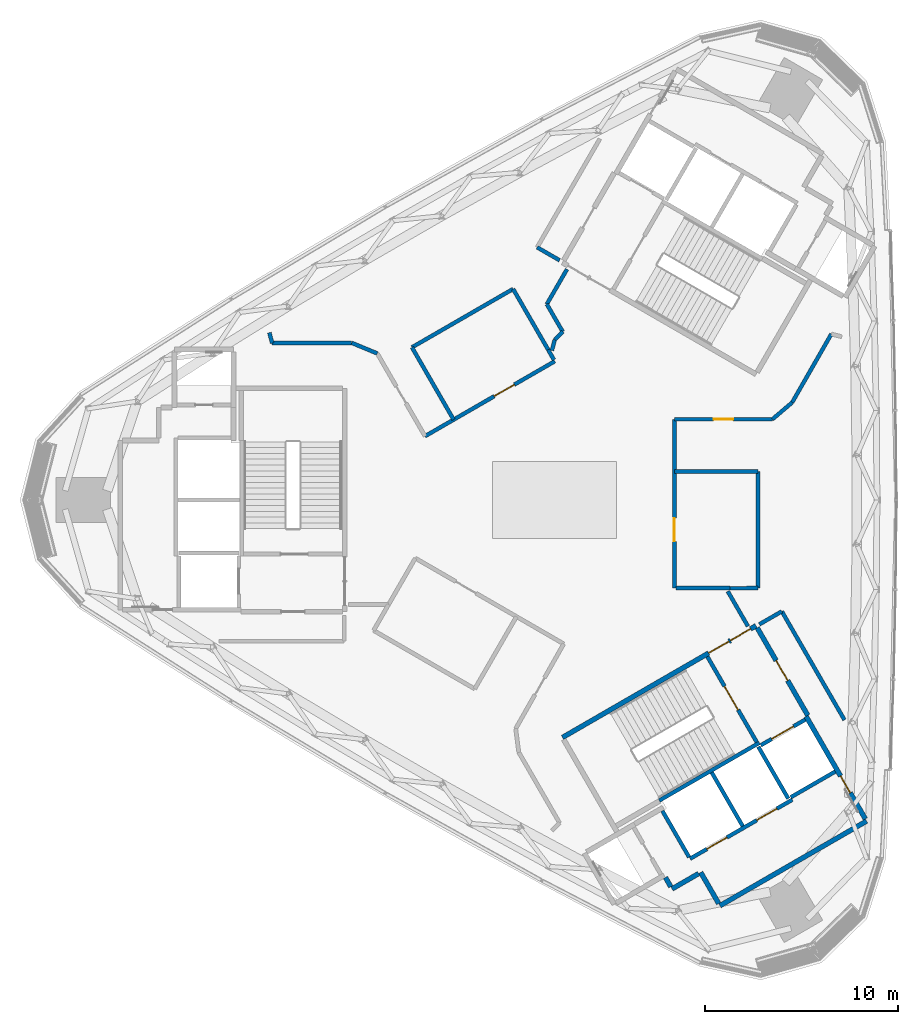
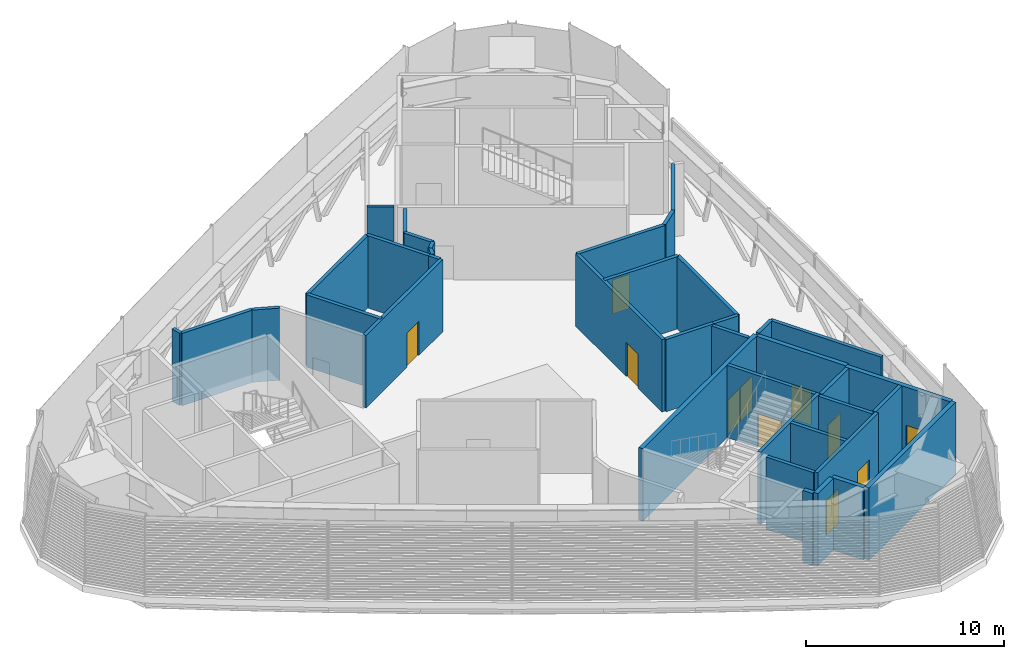
# One storey, part 13 of 18: 39 walls, 11 doors, 11 openings.
"""IFC4 building model written with IfcOpenShell, lengths in metres."""

from ifc_helpers import new_model, si_unit, direction, frame, frame_2d, origin, place, context, subcontext, project, spatial, rectangle, extrude, material, layer, layer_set, type_object, element, fill, save


model = new_model("IFC4")

# Units and contexts
model_context = context("Model", 3, precision=1e-05, world=origin(), true_north=direction((0.0, 1.0)))
body_context = subcontext(model_context, "Body", "Model", "MODEL_VIEW")
ifc_project = project(units=[si_unit("LENGTHUNIT", "METRE"), si_unit("AREAUNIT", "SQUARE_METRE"), si_unit("VOLUMEUNIT", "CUBIC_METRE"), si_unit("PLANEANGLEUNIT", "RADIAN"), si_unit("MASSUNIT", "GRAM", prefix="KILO")], contexts=[model_context])

# Site, building, storey
site_placement = place(None, origin())
site = spatial("IfcSite", under=ifc_project, at=site_placement, CompositionType="ELEMENT")
building_placement = place(site_placement, origin())
building = spatial("IfcBuilding", under=site, at=building_placement, Name="Tamra Quay Hotel Tower", CompositionType="ELEMENT")
storey_placement = place(building_placement, frame((0.0, 0.0, 257.39990234375)))
storey = spatial("IfcBuildingStorey", under=building, at=storey_placement, Name="L65", CompositionType="ELEMENT", Elevation=257.39990234375)

# Wall
ifc_material_1 = material(Name="Concrete M70", Category="concrete")
ifc_layer_1 = layer(ifc_material_1, 0.199951171875)
ifc_layer_set_1 = layer_set([ifc_layer_1], Name="Concrete M70 core wall 200")
wall_type_1 = type_object("IfcWallType", Name="Concrete M70 core wall 200", PredefinedType="SHEAR", material=ifc_layer_set_1)
wall_1_placement = place(storey_placement, frame((5.4189453125, -15.533935546875, 0.0), z_axis=(0.0, 0.0, 1.0), x_axis=(0.866029065029, 0.499993658486, 0.0)))
element("IfcWall", 1, at=wall_1_placement, inside=storey, type_object=wall_type_1, Name="CW2", PredefinedType="SHEAR", context=body_context, shape_type="SweptSolid", body=[
    extrude(rectangle(XDim=5.97412109375, YDim=0.199951171875, at=frame_2d((2.987060546875, 0.0))), origin(), (0.0, 0.0, 1.0), 4.4501953125),
])

# Wall, openings, doors
wall_2_placement = place(storey_placement, frame((7.009765625, -18.54150390625, 0.0), z_axis=(0.0, 0.0, 1.0), x_axis=(0.866030299012, 0.499991521122, 0.0)))
wall_2 = element("IfcWall", 2, at=wall_2_placement, inside=storey, type_object=wall_type_1, Name="CW2", PredefinedType="SHEAR", context=body_context, shape_type="SweptSolid", body=[
    extrude(rectangle(XDim=6.10009765625, YDim=0.199951171875, at=frame_2d((3.050048828125, 0.0))), origin(), (0.0, 0.0, 1.0), 4.4501953125),
])
opening_1_placement = place(wall_2_placement, frame((1.0, 0.0, 0.0)))
opening_1 = element("IfcOpeningElement", 3, at=opening_1_placement, cuts=wall_2, Name="Opening LD", PredefinedType="OPENING", context=body_context, shape_type="SweptSolid", body=[
    extrude(rectangle(XDim=1.199951171875, YDim=2.10009765625, at=frame_2d((0.60009765625, 1.050048828125))), frame((0.0, 0.10986328125, 0.0), z_axis=(0.0, -1.0, 0.0), x_axis=(1.0, 0.0, 0.0)), (0.0, 0.0, 1.0), 0.219970703125),
])
opening_2_placement = place(wall_2_placement, frame((3.982177734375, 0.0, 0.0)))
opening_2 = element("IfcOpeningElement", 4, at=opening_2_placement, cuts=wall_2, Name="Opening LD", PredefinedType="OPENING", context=body_context, shape_type="SweptSolid", body=[
    extrude(rectangle(XDim=1.199951171875, YDim=2.10009765625, at=frame_2d((0.60009765625, 1.050048828125))), frame((0.0, 0.10986328125, 0.0), z_axis=(0.0, -1.0, 0.0), x_axis=(1.0, 0.0, 0.0)), (0.0, 0.0, 1.0), 0.219970703125),
])
ifc_material_2 = material(Name="Landing door LD 1200 double door sliding")
door_type_1 = type_object("IfcDoorType", Name="Landing door LD 1200 double door sliding", OperationType="DOUBLE_DOOR_SLIDING", PredefinedType="DOOR", material=ifc_material_2)
door_1_placement = place(opening_1_placement, origin())
door_1 = element("IfcDoor", 5, at=door_1_placement, inside=storey, type_object=door_type_1, Name="LD", OperationType="DOUBLE_DOOR_SLIDING", OverallHeight=2.10009765625, OverallWidth=1.199951171875, PredefinedType="DOOR", context=body_context, shape_type="SweptSolid", body=[
    extrude(rectangle(XDim=1.199951171875, YDim=2.10009765625, at=frame_2d((0.60009765625, 1.050048828125))), frame((0.0, 0.02490234375, 0.0), z_axis=(0.0, -1.0, 0.0), x_axis=(1.0, 0.0, 0.0)), (0.0, 0.0, 1.0), 0.050048828125),
])
fill(opening_1, door_1)
door_2_placement = place(opening_2_placement, origin())
door_2 = element("IfcDoor", 6, at=door_2_placement, inside=storey, type_object=door_type_1, Name="LD", OperationType="DOUBLE_DOOR_SLIDING", OverallHeight=2.10009765625, OverallWidth=1.199951171875, PredefinedType="DOOR", context=body_context, shape_type="SweptSolid", body=[
    extrude(rectangle(XDim=1.199951171875, YDim=2.10009765625, at=frame_2d((0.60009765625, 1.050048828125))), frame((0.0, 0.02490234375, 0.0), z_axis=(0.0, -1.0, 0.0), x_axis=(1.0, 0.0, 0.0)), (0.0, 0.0, 1.0), 0.050048828125),
])
fill(opening_2, door_2)

# Wall, opening, door
wall_3_placement = place(storey_placement, frame((7.906494140625, -8.094482421875, 0.0), z_axis=(0.0, 0.0, 1.0), x_axis=(0.500027839223, -0.866009330205, 0.0)))
wall_3 = element("IfcWall", 7, at=wall_3_placement, inside=storey, type_object=wall_type_1, Name="CW2", PredefinedType="SHEAR", context=body_context, shape_type="SweptSolid", body=[
    extrude(rectangle(XDim=5.097900390625, YDim=0.199951171875, at=frame_2d((2.548828125, 0.0))), origin(), (0.0, 0.0, 1.0), 4.4501953125),
])
opening_3_placement = place(wall_3_placement, frame((1.77392578125, 0.0, 0.0)))
opening_3 = element("IfcOpeningElement", 8, at=opening_3_placement, cuts=wall_3, Name="Opening FD2", PredefinedType="OPENING", context=body_context, shape_type="SweptSolid", body=[
    extrude(rectangle(XDim=1.39990234375, YDim=2.10009765625, at=frame_2d((0.699951171875, 1.050048828125))), frame((0.0, 0.10986328125, 0.0), z_axis=(0.0, -1.0, 0.0), x_axis=(1.0, 0.0, 0.0)), (0.0, 0.0, 1.0), 0.219970703125),
])
ifc_material_3 = material(Name="Core door FD2 1400x2100 LH")
door_type_2 = type_object("IfcDoorType", Name="Core door FD2 1400x2100 LH", OperationType="NOTDEFINED", PredefinedType="DOOR", material=ifc_material_3)
door_3_placement = place(opening_3_placement, origin())
door_3 = element("IfcDoor", 9, at=door_3_placement, inside=storey, type_object=door_type_2, Name="FD2", OperationType="SINGLE_SWING_LEFT", OverallHeight=2.10009765625, OverallWidth=1.39990234375, PredefinedType="DOOR", context=body_context, shape_type="SweptSolid", body=[
    extrude(rectangle(XDim=1.39990234375, YDim=2.10009765625, at=frame_2d((0.699951171875, 1.050048828125))), frame((0.0, 0.02490234375, 0.0), z_axis=(0.0, -1.0, 0.0), x_axis=(1.0, 0.0, 0.0)), (0.0, 0.0, 1.0), 0.050048828125),
])
fill(opening_3, door_3)

# Walls
wall_4_placement = place(storey_placement, frame((8.131591796875, -14.084228515625, 0.0), z_axis=(0.0, 0.0, 1.0), x_axis=(0.499997778408, -0.866026686418, 0.0)))
element("IfcWall", 10, at=wall_4_placement, inside=storey, type_object=wall_type_1, Name="CW2", PredefinedType="SHEAR", context=body_context, shape_type="SweptSolid", body=[
    extrude(rectangle(XDim=3.1982421875, YDim=0.199951171875, at=frame_2d((1.59912109375, 0.0))), origin(), (0.0, 0.0, 1.0), 4.4501953125),
])
wall_5_placement = place(storey_placement, frame((6.959716796875, -18.455078125, 0.0), z_axis=(0.0, 0.0, 1.0), x_axis=(-0.499926705758, 0.866067716099, 0.0)))
element("IfcWall", 11, at=wall_5_placement, inside=storey, type_object=wall_type_1, Name="CW2", PredefinedType="SHEAR", context=body_context, shape_type="SweptSolid", body=[
    extrude(rectangle(XDim=2.75927734375, YDim=0.199951171875, at=frame_2d((1.379638671875, 0.0))), origin(), (0.0, 0.0, 1.0), 4.4501953125),
])
wall_6_placement = place(storey_placement, frame((12.087646484375, -15.4365234375, 0.0), z_axis=(0.0, 0.0, 1.0), x_axis=(-0.500026960575, 0.86600983753, 0.0)))
element("IfcWall", 12, at=wall_6_placement, inside=storey, type_object=wall_type_1, Name="CW2", PredefinedType="SHEAR", context=body_context, shape_type="SweptSolid", body=[
    extrude(rectangle(XDim=3.099853515625, YDim=0.199951171875, at=frame_2d((1.5498046875, 0.0))), origin(), (0.0, 0.0, 1.0), 4.4501953125),
])

# Wall, opening, door
wall_7_placement = place(storey_placement, frame((10.666015625, -12.677734375, 0.0), z_axis=(0.0, 0.0, 1.0), x_axis=(0.866018407898, 0.500012117035, 0.0)))
wall_7 = element("IfcWall", 13, at=wall_7_placement, inside=storey, type_object=wall_type_1, Name="CW2", PredefinedType="SHEAR", context=body_context, shape_type="SweptSolid", body=[
    extrude(rectangle(XDim=2.65087890625, YDim=0.199951171875, at=frame_2d((1.325439453125, 0.0))), origin(), (0.0, 0.0, 1.0), 4.4501953125),
])
opening_4_placement = place(wall_7_placement, frame((0.65185546875, 0.0, 0.0)))
opening_4 = element("IfcOpeningElement", 14, at=opening_4_placement, cuts=wall_7, Name="Opening LD", PredefinedType="OPENING", context=body_context, shape_type="SweptSolid", body=[
    extrude(rectangle(XDim=1.300048828125, YDim=2.10009765625, at=frame_2d((0.64990234375, 1.050048828125))), frame((0.0, 0.10986328125, 0.0), z_axis=(0.0, -1.0, 0.0), x_axis=(1.0, 0.0, 0.0)), (0.0, 0.0, 1.0), 0.219970703125),
])
ifc_material_4 = material(Name="Landing door LD 1300 sliding to left")
door_type_3 = type_object("IfcDoorType", Name="Landing door LD 1300 sliding to left", OperationType="NOTDEFINED", PredefinedType="DOOR", material=ifc_material_4)
door_4_placement = place(opening_4_placement, origin())
door_4 = element("IfcDoor", 15, at=door_4_placement, inside=storey, type_object=door_type_3, Name="LD", OperationType="SLIDING_TO_LEFT", OverallHeight=2.10009765625, OverallWidth=1.300048828125, PredefinedType="DOOR", context=body_context, shape_type="SweptSolid", body=[
    extrude(rectangle(XDim=1.300048828125, YDim=2.10009765625, at=frame_2d((0.64990234375, 1.050048828125))), frame((0.0, 0.02490234375, 0.0), z_axis=(0.0, -1.0, 0.0), x_axis=(1.0, 0.0, 0.0)), (0.0, 0.0, 1.0), 0.050048828125),
])
fill(opening_4, door_4)

# Wall
wall_8_placement = place(storey_placement, frame((14.51171875, -14.037109375, 0.0), z_axis=(0.0, 0.0, 1.0), x_axis=(-0.866018407898, -0.500012117035, 0.0)))
element("IfcWall", 16, at=wall_8_placement, inside=storey, type_object=wall_type_1, Name="CW2", PredefinedType="SHEAR", context=body_context, shape_type="SweptSolid", body=[
    extrude(rectangle(XDim=2.65087890625, YDim=0.199951171875, at=frame_2d((1.325439453125, 0.0))), origin(), (0.0, 0.0, 1.0), 4.4501953125),
])

# Wall, openings, doors
ifc_layer_2 = layer(ifc_material_1, 0.25)
ifc_layer_set_2 = layer_set([ifc_layer_2], Name="Concrete M70 core wall 250")
wall_type_2 = type_object("IfcWallType", Name="Concrete M70 core wall 250", PredefinedType="SHEAR", material=ifc_layer_set_2)
wall_9_placement = place(storey_placement, frame((0.417236328125, -12.27294921875, 0.0), z_axis=(0.0, 0.0, 1.0), x_axis=(0.866021906294, 0.500006057782, 0.0)))
wall_9 = element("IfcWall", 17, at=wall_9_placement, inside=storey, type_object=wall_type_2, Name="CW1", PredefinedType="SHEAR", context=body_context, shape_type="SweptSolid", body=[
    extrude(rectangle(XDim=11.550048828125, YDim=0.25, at=frame_2d((5.77490234375, 0.0))), origin(), (0.0, 0.0, 1.0), 4.4501953125),
])
opening_5_placement = place(wall_9_placement, frame((10.024658203125, 0.0, 0.0)))
opening_5 = element("IfcOpeningElement", 18, at=opening_5_placement, cuts=wall_9, Name="Opening FD1", PredefinedType="OPENING", context=body_context, shape_type="SweptSolid", body=[
    extrude(rectangle(XDim=1.199951171875, YDim=2.10009765625, at=frame_2d((0.60009765625, 1.050048828125))), frame((0.0, 0.135009765625, 0.0), z_axis=(0.0, -1.0, 0.0), x_axis=(1.0, 0.0, 0.0)), (0.0, 0.0, 1.0), 0.27001953125),
])
opening_6_placement = place(wall_9_placement, frame((8.724609375, 0.0, 0.0)))
opening_6 = element("IfcOpeningElement", 19, at=opening_6_placement, cuts=wall_9, Name="Opening FD1", PredefinedType="OPENING", context=body_context, shape_type="SweptSolid", body=[
    extrude(rectangle(XDim=1.199951171875, YDim=2.10009765625, at=frame_2d((0.60009765625, 1.050048828125))), frame((0.0, 0.135009765625, 0.0), z_axis=(0.0, -1.0, 0.0), x_axis=(1.0, 0.0, 0.0)), (0.0, 0.0, 1.0), 0.27001953125),
])
ifc_material_5 = material(Name="Core door FD1 1200x2100 LH")
door_type_4 = type_object("IfcDoorType", Name="Core door FD1 1200x2100 LH", OperationType="NOTDEFINED", PredefinedType="DOOR", material=ifc_material_5)
door_5_placement = place(opening_5_placement, origin())
door_5 = element("IfcDoor", 20, at=door_5_placement, inside=storey, type_object=door_type_4, Name="FD1", OperationType="SINGLE_SWING_LEFT", OverallHeight=2.10009765625, OverallWidth=1.199951171875, PredefinedType="DOOR", context=body_context, shape_type="SweptSolid", body=[
    extrude(rectangle(XDim=1.199951171875, YDim=2.10009765625, at=frame_2d((0.60009765625, 1.050048828125))), frame((0.0, 0.02490234375, 0.0), z_axis=(0.0, -1.0, 0.0), x_axis=(1.0, 0.0, 0.0)), (0.0, 0.0, 1.0), 0.050048828125),
])
fill(opening_5, door_5)
ifc_material_6 = material(Name="Core door FD1 1200x2100 RH")
door_type_5 = type_object("IfcDoorType", Name="Core door FD1 1200x2100 RH", OperationType="NOTDEFINED", PredefinedType="DOOR", material=ifc_material_6)
door_6_placement = place(opening_6_placement, origin())
door_6 = element("IfcDoor", 21, at=door_6_placement, inside=storey, type_object=door_type_5, Name="FD1", OperationType="SINGLE_SWING_RIGHT", OverallHeight=2.10009765625, OverallWidth=1.199951171875, PredefinedType="DOOR", context=body_context, shape_type="SweptSolid", body=[
    extrude(rectangle(XDim=1.199951171875, YDim=2.10009765625, at=frame_2d((0.60009765625, 1.050048828125))), frame((0.0, 0.02490234375, 0.0), z_axis=(0.0, -1.0, 0.0), x_axis=(1.0, 0.0, 0.0)), (0.0, 0.0, 1.0), 0.050048828125),
])
fill(opening_6, door_6)

# Wall
wall_10_placement = place(storey_placement, frame((16.13330078125, -16.59375, 0.0), z_axis=(0.0, 0.0, 1.0), x_axis=(-0.866022959057, -0.500004234368, 0.0)))
element("IfcWall", 22, at=wall_10_placement, inside=storey, type_object=wall_type_2, Name="CW1", PredefinedType="SHEAR", context=body_context, shape_type="SweptSolid", body=[
    extrude(rectangle(XDim=8.75, YDim=0.25, at=frame_2d((4.375, 0.0))), origin(), (0.0, 0.0, 1.0), 4.4501953125),
])

# Wall, opening, door
wall_11_placement = place(storey_placement, frame((13.00830078125, -11.18115234375, 0.0), z_axis=(0.0, 0.0, 1.0), x_axis=(0.500001955336, -0.866024274868, 0.0)))
wall_11 = element("IfcWall", 23, at=wall_11_placement, inside=storey, type_object=wall_type_2, Name="CW1", PredefinedType="SHEAR", context=body_context, shape_type="SweptSolid", body=[
    extrude(rectangle(XDim=6.12451171875, YDim=0.25, at=frame_2d((3.062255859375, 0.0))), origin(), (0.0, 0.0, 1.0), 4.4501953125),
])
opening_7_placement = place(wall_11_placement, frame((3.562744140625, 0.0, 0.0)))
opening_7 = element("IfcOpeningElement", 24, at=opening_7_placement, cuts=wall_11, Name="Opening FD3", PredefinedType="OPENING", context=body_context, shape_type="SweptSolid", body=[
    extrude(rectangle(XDim=1.0, YDim=2.10009765625, at=frame_2d((0.5, 1.050048828125))), frame((0.0, 0.135009765625, 0.0), z_axis=(0.0, -1.0, 0.0), x_axis=(1.0, 0.0, 0.0)), (0.0, 0.0, 1.0), 0.27001953125),
])
ifc_material_7 = material(Name="Core door FD3 1000x2100 LH")
door_type_6 = type_object("IfcDoorType", Name="Core door FD3 1000x2100 LH", OperationType="NOTDEFINED", PredefinedType="DOOR", material=ifc_material_7)
door_7_placement = place(opening_7_placement, origin())
door_7 = element("IfcDoor", 25, at=door_7_placement, inside=storey, type_object=door_type_6, Name="FD3", OperationType="SINGLE_SWING_LEFT", OverallHeight=2.10009765625, OverallWidth=1.0, PredefinedType="DOOR", context=body_context, shape_type="SweptSolid", body=[
    extrude(rectangle(XDim=1.0, YDim=2.10009765625, at=frame_2d((0.5, 1.050048828125))), frame((0.0, 0.02490234375, 0.0), z_axis=(0.0, -1.0, 0.0), x_axis=(1.0, 0.0, 0.0)), (0.0, 0.0, 1.0), 0.050048828125),
])
fill(opening_7, door_7)

wall_12_placement = place(storey_placement, frame((10.482666015625, -6.6064453125, 0.0), z_axis=(0.0, 0.0, 1.0), x_axis=(0.49999885962, -0.866026062182, 0.0)))
wall_12 = element("IfcWall", 26, at=wall_12_placement, inside=storey, type_object=wall_type_2, Name="CW1", PredefinedType="SHEAR", context=body_context, shape_type="SweptSolid", body=[
    extrude(rectangle(XDim=5.224609375, YDim=0.25, at=frame_2d((2.6123046875, 0.0))), origin(), (0.0, 0.0, 1.0), 4.4501953125),
])
opening_8_placement = place(wall_12_placement, frame((1.94970703125, 0.0, 0.0)))
opening_8 = element("IfcOpeningElement", 27, at=opening_8_placement, cuts=wall_12, Name="Opening D2", PredefinedType="OPENING", context=body_context, shape_type="SweptSolid", body=[
    extrude(rectangle(XDim=1.199951171875, YDim=2.10009765625, at=frame_2d((0.60009765625, 1.050048828125))), frame((0.0, 0.135009765625, 0.0), z_axis=(0.0, -1.0, 0.0), x_axis=(1.0, 0.0, 0.0)), (0.0, 0.0, 1.0), 0.27001953125),
])
ifc_material_8 = material(Name="Core door D2 1200x2100 RH")
door_type_7 = type_object("IfcDoorType", Name="Core door D2 1200x2100 RH", OperationType="NOTDEFINED", PredefinedType="DOOR", material=ifc_material_8)
door_8_placement = place(opening_8_placement, origin())
door_8 = element("IfcDoor", 28, at=door_8_placement, inside=storey, type_object=door_type_7, Name="D2", OperationType="SINGLE_SWING_RIGHT", OverallHeight=2.10009765625, OverallWidth=1.199951171875, PredefinedType="DOOR", context=body_context, shape_type="SweptSolid", body=[
    extrude(rectangle(XDim=1.199951171875, YDim=2.10009765625, at=frame_2d((0.60009765625, 1.050048828125))), frame((0.0, 0.02490234375, 0.0), z_axis=(0.0, -1.0, 0.0), x_axis=(1.0, 0.0, 0.0)), (0.0, 0.0, 1.0), 0.050048828125),
])
fill(opening_8, door_8)

# Walls
wall_13_placement = place(storey_placement, frame((8.492919921875, -20.860107421875, 0.0), z_axis=(0.0, 0.0, 1.0), x_axis=(-0.500039802285, 0.866002422705, 0.0)))
element("IfcWall", 29, at=wall_13_placement, inside=storey, type_object=wall_type_2, Name="CW1", PredefinedType="SHEAR", context=body_context, shape_type="SweptSolid", body=[
    extrude(rectangle(XDim=1.864501953125, YDim=0.25, at=frame_2d((0.93212890625, 0.0))), origin(), (0.0, 0.0, 1.0), 4.4501953125),
])
wall_14_placement = place(storey_placement, frame((7.451904296875, -19.30810546875, 0.0), z_axis=(0.0, 0.0, 1.0), x_axis=(-0.866044474677, -0.49996696679, 0.0)))
element("IfcWall", 30, at=wall_14_placement, inside=storey, type_object=wall_type_2, Name="CW1", PredefinedType="SHEAR", context=body_context, shape_type="SweptSolid", body=[
    extrude(rectangle(XDim=1.58447265625, YDim=0.25, at=frame_2d((0.792236328125, 0.0))), origin(), (0.0, 0.0, 1.0), 4.4501953125),
])
wall_15_placement = place(storey_placement, frame((6.01708984375, -19.99169921875, 0.0), z_axis=(0.0, 0.0, 1.0), x_axis=(-0.500364886717, 0.865814633822, 0.0)))
element("IfcWall", 31, at=wall_15_placement, inside=storey, type_object=wall_type_2, Name="CW1", PredefinedType="SHEAR", context=body_context, shape_type="SweptSolid", body=[
    extrude(rectangle(XDim=0.55908203125, YDim=0.25, at=frame_2d((0.279541015625, 0.0))), origin(), (0.0, 0.0, 1.0), 4.4501953125),
])
ifc_material_9 = material(Name="Partition corridor wall")
ifc_layer_3 = layer(ifc_material_9, 0.199951171875)
ifc_layer_set_3 = layer_set([ifc_layer_3], Name="Partition corridor wall")
wall_type_3 = type_object("IfcWallType", Name="Partition corridor wall", PredefinedType="PARTITIONING", material=ifc_layer_set_3)
wall_16_placement = place(storey_placement, frame((-14.73095703125, 8.64599609375, 0.0), z_axis=(0.0, 0.0, 1.0), x_axis=(0.258152815448, -0.966104095777, 0.0)))
element("IfcWall", 32, at=wall_16_placement, inside=storey, type_object=wall_type_3, Name="W-C", PredefinedType="PARTITIONING", context=body_context, shape_type="SweptSolid", body=[
    extrude(rectangle(XDim=0.557861328125, YDim=0.199951171875, at=frame_2d((0.27880859375, 0.0))), origin(), (0.0, 0.0, 1.0), 4.4501953125),
])
wall_17_placement = place(storey_placement, frame((-14.5869140625, 8.10693359375, 0.0), z_axis=(0.0, 0.0, 1.0), x_axis=(0.999994067454, 0.003444569184, 0.0)))
element("IfcWall", 33, at=wall_17_placement, inside=storey, type_object=wall_type_3, Name="W-C", PredefinedType="PARTITIONING", context=body_context, shape_type="SweptSolid", body=[
    extrude(rectangle(XDim=4.11083984375, YDim=0.199951171875, at=frame_2d((2.055419921875, 0.0))), origin(), (0.0, 0.0, 1.0), 4.4501953125),
])
wall_18_placement = place(storey_placement, frame((-10.47607421875, 8.12109375, 0.0), z_axis=(0.0, 0.0, 1.0), x_axis=(0.923898220274, -0.382638312998, 0.0)))
element("IfcWall", 34, at=wall_18_placement, inside=storey, type_object=wall_type_3, Name="W-C", PredefinedType="PARTITIONING", context=body_context, shape_type="SweptSolid", body=[
    extrude(rectangle(XDim=1.429931640625, YDim=0.199951171875, at=frame_2d((0.71484375, 0.0))), origin(), (0.0, 0.0, 1.0), 4.4501953125),
])

# Wall, opening, door
wall_19_placement = place(storey_placement, frame((-6.68701171875, 3.298095703125, 0.0), z_axis=(0.0, 0.0, 1.0), x_axis=(0.865948809334, 0.500132642019, 0.0)))
wall_19 = element("IfcWall", 35, at=wall_19_placement, inside=storey, type_object=wall_type_3, Name="W-C", PredefinedType="PARTITIONING", context=body_context, shape_type="SweptSolid", body=[
    extrude(rectangle(XDim=7.7451171875, YDim=0.199951171875, at=frame_2d((3.87255859375, 0.0))), origin(), (0.0, 0.0, 1.0), 4.4501953125),
])
opening_9_placement = place(wall_19_placement, frame((4.127685546875, 0.0, 0.0)))
opening_9 = element("IfcOpeningElement", 36, at=opening_9_placement, cuts=wall_19, Name="Opening L65-D004", PredefinedType="OPENING", context=body_context, shape_type="SweptSolid", body=[
    extrude(rectangle(XDim=1.199951171875, YDim=2.10009765625, at=frame_2d((0.60009765625, 1.050048828125))), frame((0.0, 0.10986328125, 0.0), z_axis=(0.0, -1.0, 0.0), x_axis=(1.0, 0.0, 0.0)), (0.0, 0.0, 1.0), 0.219970703125),
])
ifc_material_10 = material(Name="Door fire rated 1200x2100")
door_type_8 = type_object("IfcDoorType", Name="Door fire rated 1200x2100", OperationType="NOTDEFINED", PredefinedType="DOOR", material=ifc_material_10)
door_9_placement = place(opening_9_placement, origin())
door_9 = element("IfcDoor", 37, at=door_9_placement, inside=storey, type_object=door_type_8, Name="L65-D004", OperationType="SINGLE_SWING_LEFT", OverallHeight=2.10009765625, OverallWidth=1.199951171875, PredefinedType="DOOR", context=body_context, shape_type="SweptSolid", body=[
    extrude(rectangle(XDim=1.199951171875, YDim=2.10009765625, at=frame_2d((0.60009765625, 1.050048828125))), frame((0.0, 0.02490234375, 0.0), z_axis=(0.0, -1.0, 0.0), x_axis=(1.0, 0.0, 0.0)), (0.0, 0.0, 1.0), 0.050048828125),
])
fill(opening_9, door_9)

# Walls
wall_20_placement = place(storey_placement, frame((-0.89111328125, 13.056884765625, 0.0), z_axis=(0.0, 0.0, 1.0), x_axis=(0.866206814563, -0.499685655593, 0.0)))
element("IfcWall", 38, at=wall_20_placement, inside=storey, type_object=wall_type_3, Name="W-C", PredefinedType="PARTITIONING", context=body_context, shape_type="SweptSolid", body=[
    extrude(rectangle(XDim=1.340087890625, YDim=0.199951171875, at=frame_2d((0.669921875, 0.0))), origin(), (0.0, 0.0, 1.0), 4.4501953125),
])
wall_21_placement = place(storey_placement, frame((-0.39208984375, 10.12109375, 0.0), z_axis=(0.0, 0.0, 1.0), x_axis=(0.499992716633, -0.866029608798, 0.0)))
element("IfcWall", 39, at=wall_21_placement, inside=storey, type_object=wall_type_3, Name="W-C", PredefinedType="PARTITIONING", context=body_context, shape_type="SweptSolid", body=[
    extrude(rectangle(XDim=1.64208984375, YDim=0.199951171875, at=frame_2d((0.821044921875, 0.0))), origin(), (0.0, 0.0, 1.0), 4.4501953125),
])
wall_22_placement = place(storey_placement, frame((-0.39208984375, 10.12109375, 0.0), z_axis=(0.0, 0.0, 1.0), x_axis=(0.50017216111, 0.865925983702, 0.0)))
element("IfcWall", 40, at=wall_22_placement, inside=storey, type_object=wall_type_3, Name="W-C", PredefinedType="PARTITIONING", context=body_context, shape_type="SweptSolid", body=[
    extrude(rectangle(XDim=2.083251953125, YDim=0.199951171875, at=frame_2d((1.04150390625, 0.0))), origin(), (0.0, 0.0, 1.0), 4.4501953125),
])
wall_23_placement = place(storey_placement, frame((-0.325927734375, 7.76904296875, 0.0), z_axis=(0.0, 0.0, 1.0), x_axis=(0.500244126355, -0.865884411482, 0.0)))
element("IfcWall", 41, at=wall_23_placement, inside=storey, type_object=wall_type_3, Name="W-C", PredefinedType="PARTITIONING", context=body_context, shape_type="SweptSolid", body=[
    extrude(rectangle(XDim=0.607666015625, YDim=0.199951171875, at=frame_2d((0.3037109375, 0.0))), origin(), (0.0, 0.0, 1.0), 4.4501953125),
])
wall_24_placement = place(storey_placement, frame((-0.1298828125, 7.72998046875, 0.0), z_axis=(0.0, 0.0, 1.0), x_axis=(0.258553659464, 0.965996897085, 0.0)))
element("IfcWall", 42, at=wall_24_placement, inside=storey, type_object=wall_type_3, Name="W-C", PredefinedType="PARTITIONING", context=body_context, shape_type="SweptSolid", body=[
    extrude(rectangle(XDim=0.579833984375, YDim=0.199951171875, at=frame_2d((0.2900390625, 0.0))), origin(), (0.0, 0.0, 1.0), 4.4501953125),
])
wall_25_placement = place(storey_placement, frame((0.02001953125, 8.2900390625, 0.0), z_axis=(0.0, 0.0, 1.0), x_axis=(0.707106781187, 0.707106781187, 0.0)))
element("IfcWall", 43, at=wall_25_placement, inside=storey, type_object=wall_type_3, Name="W-C", PredefinedType="PARTITIONING", context=body_context, shape_type="SweptSolid", body=[
    extrude(rectangle(XDim=0.578369140625, YDim=0.199951171875, at=frame_2d((0.2890625, 0.0))), origin(), (0.0, 0.0, 1.0), 4.4501953125),
])

# Wall, opening, door
wall_26_placement = place(storey_placement, frame((6.199951171875, -4.556884765625, 0.0), z_axis=(0.0, 0.0, 1.0), x_axis=(0.0, 1.0, 0.0)))
wall_26 = element("IfcWall", 44, at=wall_26_placement, inside=storey, type_object=wall_type_3, Name="W-C", PredefinedType="PARTITIONING", context=body_context, shape_type="SweptSolid", body=[
    extrude(rectangle(XDim=8.72900390625, YDim=0.199951171875, at=frame_2d((4.364501953125, 0.0))), origin(), (0.0, 0.0, 1.0), 4.4501953125),
])
opening_10_placement = place(wall_26_placement, frame((2.41748046875, 0.0, 0.0)))
opening_10 = element("IfcOpeningElement", 45, at=opening_10_placement, cuts=wall_26, Name="Opening L65-D005", PredefinedType="OPENING", context=body_context, shape_type="SweptSolid", body=[
    extrude(rectangle(XDim=1.199951171875, YDim=2.10009765625, at=frame_2d((0.60009765625, 1.050048828125))), frame((0.0, 0.10986328125, 0.0), z_axis=(0.0, -1.0, 0.0), x_axis=(1.0, 0.0, 0.0)), (0.0, 0.0, 1.0), 0.219970703125),
])
door_10_placement = place(opening_10_placement, frame((1.199951171875, 0.0, 0.0), z_axis=(0.0, 0.0, 1.0), x_axis=(-1.0, 0.0, 0.0)))
door_10 = element("IfcDoor", 46, at=door_10_placement, inside=storey, type_object=door_type_8, Name="L65-D005", OperationType="SINGLE_SWING_LEFT", OverallHeight=2.10009765625, OverallWidth=1.199951171875, PredefinedType="DOOR", context=body_context, shape_type="SweptSolid", body=[
    extrude(rectangle(XDim=1.199951171875, YDim=2.10009765625, at=frame_2d((0.60009765625, 1.050048828125))), frame((0.0, 0.02490234375, 0.0), z_axis=(0.0, -1.0, 0.0), x_axis=(1.0, 0.0, 0.0)), (0.0, 0.0, 1.0), 0.050048828125),
])
fill(opening_10, door_10)

wall_27_placement = place(storey_placement, frame((6.199951171875, 4.172119140625, 0.0), z_axis=(0.0, 0.0, 1.0), x_axis=(1.0, 0.0, 0.0)))
wall_27 = element("IfcWall", 47, at=wall_27_placement, inside=storey, type_object=wall_type_3, Name="W-C", PredefinedType="PARTITIONING", context=body_context, shape_type="SweptSolid", body=[
    extrude(rectangle(XDim=5.06494140625, YDim=0.199951171875, at=frame_2d((2.532470703125, 0.0))), origin(), (0.0, 0.0, 1.0), 4.4501953125),
])
opening_11_placement = place(wall_27_placement, frame((2.034912109375, 0.0, 0.0)))
opening_11 = element("IfcOpeningElement", 48, at=opening_11_placement, cuts=wall_27, Name="Opening L65-D002", PredefinedType="OPENING", context=body_context, shape_type="SweptSolid", body=[
    extrude(rectangle(XDim=1.0, YDim=2.10009765625, at=frame_2d((0.5, 1.050048828125))), frame((0.0, 0.10986328125, 0.0), z_axis=(0.0, -1.0, 0.0), x_axis=(1.0, 0.0, 0.0)), (0.0, 0.0, 1.0), 0.219970703125),
])
ifc_material_11 = material(Name="Door service room 1000x2100")
door_type_9 = type_object("IfcDoorType", Name="Door service room 1000x2100", OperationType="NOTDEFINED", PredefinedType="DOOR", material=ifc_material_11)
door_11_placement = place(opening_11_placement, frame((1.0, 0.0, 0.0), z_axis=(0.0, 0.0, 1.0), x_axis=(-1.0, 0.0, 0.0)))
door_11 = element("IfcDoor", 49, at=door_11_placement, inside=storey, type_object=door_type_9, Name="L65-D002", OperationType="SINGLE_SWING_LEFT", OverallHeight=2.10009765625, OverallWidth=1.0, PredefinedType="DOOR", context=body_context, shape_type="SweptSolid", body=[
    extrude(rectangle(XDim=1.0, YDim=2.10009765625, at=frame_2d((0.5, 1.050048828125))), frame((0.0, 0.02490234375, 0.0), z_axis=(0.0, -1.0, 0.0), x_axis=(1.0, 0.0, 0.0)), (0.0, 0.0, 1.0), 0.050048828125),
])
fill(opening_11, door_11)

# Walls
wall_28_placement = place(storey_placement, frame((6.281982421875, -4.555908203125, 0.0), z_axis=(0.0, 0.0, 1.0), x_axis=(1.0, 0.0, 0.0)))
element("IfcWall", 50, at=wall_28_placement, inside=storey, type_object=wall_type_3, Name="W-C", PredefinedType="PARTITIONING", context=body_context, shape_type="SweptSolid", body=[
    extrude(rectangle(XDim=2.791015625, YDim=0.199951171875, at=frame_2d((1.3955078125, 0.0))), origin(), (0.0, 0.0, 1.0), 4.4501953125),
])
wall_29_placement = place(storey_placement, frame((8.9609375, -4.720947265625, 0.0), z_axis=(0.0, 0.0, 1.0), x_axis=(0.499806992981, -0.866136807766, 0.0)))
element("IfcWall", 51, at=wall_29_placement, inside=storey, type_object=wall_type_3, Name="W-C", PredefinedType="PARTITIONING", context=body_context, shape_type="SweptSolid", body=[
    extrude(rectangle(XDim=2.083251953125, YDim=0.199951171875, at=frame_2d((1.04150390625, 0.0))), origin(), (0.0, 0.0, 1.0), 4.4501953125),
])
wall_30_placement = place(storey_placement, frame((10.5927734375, -6.42724609375, 0.0), z_axis=(0.0, 0.0, 1.0), x_axis=(0.865912429188, 0.500195626709, 0.0)))
element("IfcWall", 52, at=wall_30_placement, inside=storey, type_object=wall_type_3, Name="W-C", PredefinedType="PARTITIONING", context=body_context, shape_type="SweptSolid", body=[
    extrude(rectangle(XDim=1.33984375, YDim=0.199951171875, at=frame_2d((0.669921875, 0.0))), origin(), (0.0, 0.0, 1.0), 4.4501953125),
])
wall_31_placement = place(storey_placement, frame((11.264892578125, 4.172119140625, 0.0), z_axis=(0.0, 0.0, 1.0), x_axis=(0.762631798807, 0.64683285279, 0.0)))
element("IfcWall", 53, at=wall_31_placement, inside=storey, type_object=wall_type_3, Name="W-C", PredefinedType="PARTITIONING", context=body_context, shape_type="SweptSolid", body=[
    extrude(rectangle(XDim=1.3388671875, YDim=0.199951171875, at=frame_2d((0.66943359375, 0.0))), origin(), (0.0, 0.0, 1.0), 4.4501953125),
])
wall_32_placement = place(storey_placement, frame((11.7529296875, -5.757080078125, 0.0), z_axis=(0.0, 0.0, 1.0), x_axis=(0.499994352157, -0.866028664543, 0.0)))
element("IfcWall", 54, at=wall_32_placement, inside=storey, type_object=wall_type_3, Name="W-C", PredefinedType="PARTITIONING", context=body_context, shape_type="SweptSolid", body=[
    extrude(rectangle(XDim=6.47705078125, YDim=0.199951171875, at=frame_2d((3.238525390625, 0.0))), origin(), (0.0, 0.0, 1.0), 4.4501953125),
])
wall_33_placement = place(storey_placement, frame((12.285888671875, 5.0380859375, 0.0), z_axis=(0.0, 0.0, 1.0), x_axis=(0.496995625394, 0.86775304571, 0.0)))
element("IfcWall", 55, at=wall_33_placement, inside=storey, type_object=wall_type_3, Name="W-C", PredefinedType="PARTITIONING", context=body_context, shape_type="SweptSolid", body=[
    extrude(rectangle(XDim=4.08056640625, YDim=0.199951171875, at=frame_2d((2.040283203125, 0.0))), origin(), (0.0, 0.0, 1.0), 4.4501953125),
])
ifc_material_12 = material(Name="Partition party wall")
ifc_layer_4 = layer(ifc_material_12, 0.199951171875)
ifc_layer_set_4 = layer_set([ifc_layer_4], Name="Partition party wall")
wall_type_4 = type_object("IfcWallType", Name="Partition party wall", PredefinedType="PARTITIONING", material=ifc_layer_set_4)
wall_34_placement = place(storey_placement, frame((-7.363037109375, 7.888916015625, 0.0), z_axis=(0.0, 0.0, 1.0), x_axis=(0.49953283588, -0.866294953164, 0.0)))
element("IfcWall", 56, at=wall_34_placement, inside=storey, type_object=wall_type_4, Name="W-P", PredefinedType="PARTITIONING", context=body_context, shape_type="SweptSolid", body=[
    extrude(rectangle(XDim=4.31005859375, YDim=0.199951171875, at=frame_2d((2.155029296875, 0.0))), origin(), (0.0, 0.0, 1.0), 4.4501953125),
])
wall_35_placement = place(storey_placement, frame((-7.363037109375, 7.888916015625, 0.0), z_axis=(0.0, 0.0, 1.0), x_axis=(0.866079160815, 0.499906878531, 0.0)))
element("IfcWall", 57, at=wall_35_placement, inside=storey, type_object=wall_type_4, Name="W-P", PredefinedType="PARTITIONING", context=body_context, shape_type="SweptSolid", body=[
    extrude(rectangle(XDim=6.035400390625, YDim=0.199951171875, at=frame_2d((3.017578125, 0.0))), origin(), (0.0, 0.0, 1.0), 4.4501953125),
])
wall_36_placement = place(storey_placement, frame((-2.135986328125, 10.906005859375, 0.0), z_axis=(0.0, 0.0, 1.0), x_axis=(0.500379794091, -0.865806018497, 0.0)))
element("IfcWall", 58, at=wall_36_placement, inside=storey, type_object=wall_type_4, Name="W-P", PredefinedType="PARTITIONING", context=body_context, shape_type="SweptSolid", body=[
    extrude(rectangle(XDim=3.621826171875, YDim=0.199951171875, at=frame_2d((1.81103515625, 0.0))), origin(), (0.0, 0.0, 1.0), 4.4501953125),
])
wall_37_placement = place(storey_placement, frame((6.202880859375, 1.47998046875, 0.0), z_axis=(0.0, 0.0, 1.0), x_axis=(0.999999897325, -0.000453155046, 0.0)))
element("IfcWall", 59, at=wall_37_placement, inside=storey, type_object=wall_type_4, Name="W-P", PredefinedType="PARTITIONING", context=body_context, shape_type="SweptSolid", body=[
    extrude(rectangle(XDim=4.31005859375, YDim=0.199951171875, at=frame_2d((2.155029296875, 0.0))), origin(), (0.0, 0.0, 1.0), 4.4501953125),
])
wall_38_placement = place(storey_placement, frame((9.072998046875, -4.558837890625, 0.0), z_axis=(0.0, 0.0, 1.0), x_axis=(0.999999080102, 0.00135639075, 0.0)))
element("IfcWall", 60, at=wall_38_placement, inside=storey, type_object=wall_type_4, Name="W-P", PredefinedType="PARTITIONING", context=body_context, shape_type="SweptSolid", body=[
    extrude(rectangle(XDim=1.43994140625, YDim=0.199951171875, at=frame_2d((0.719970703125, 0.0))), origin(), (0.0, 0.0, 1.0), 4.4501953125),
])
wall_39_placement = place(storey_placement, frame((10.512939453125, -4.556884765625, 0.0), z_axis=(0.0, 0.0, 1.0), x_axis=(0.0, 1.0, 0.0)))
element("IfcWall", 61, at=wall_39_placement, inside=storey, type_object=wall_type_4, Name="W-P", PredefinedType="PARTITIONING", context=body_context, shape_type="SweptSolid", body=[
    extrude(rectangle(XDim=6.034912109375, YDim=0.199951171875, at=frame_2d((3.017578125, 0.0))), origin(), (0.0, 0.0, 1.0), 4.4501953125),
])

save(model, "model.ifc")
